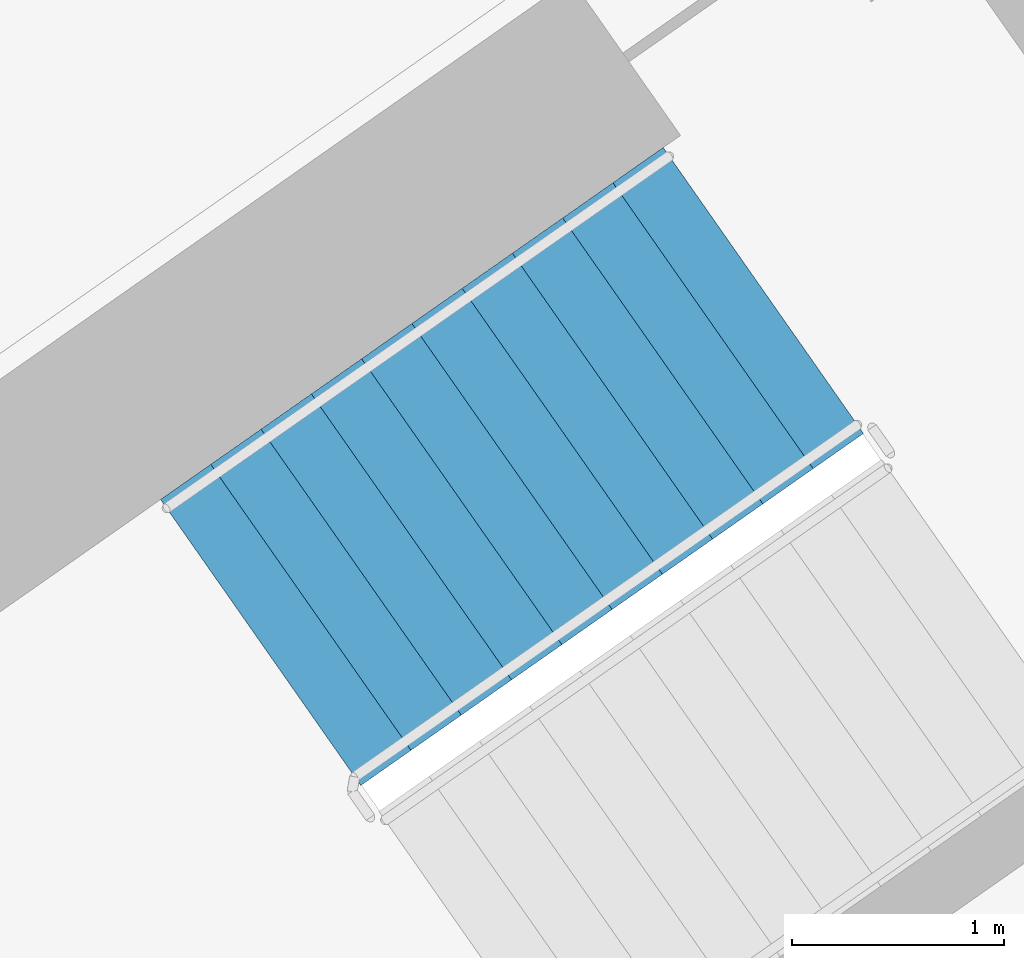
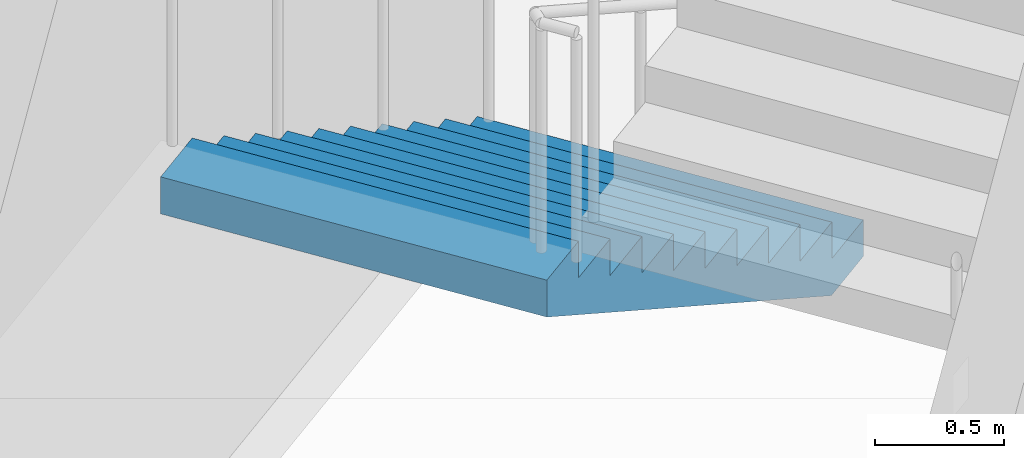
# One storey, part 18 of 31: 1 stair flight, 1 element without a shape of its own.
"""IFC4 building model written with IfcOpenShell, lengths in metres."""

from ifc_helpers import new_model, si_unit, direction, frame, origin, place, context, subcontext, project, spatial, faceted_brep, material, type_object, element, aggregate, save


model = new_model("IFC4")

# Units and contexts
model_context = context("Model", 3, precision=1e-05, world=origin(), true_north=direction((0.0, 1.0)))
body_context = subcontext(model_context, "Body", "Model", "MODEL_VIEW")
ifc_project = project(units=[si_unit("LENGTHUNIT", "METRE"), si_unit("AREAUNIT", "SQUARE_METRE"), si_unit("VOLUMEUNIT", "CUBIC_METRE"), si_unit("PLANEANGLEUNIT", "RADIAN"), si_unit("MASSUNIT", "GRAM", prefix="KILO")], contexts=[model_context])

# Site, building, storey
site_placement = place(None, origin())
site = spatial("IfcSite", under=ifc_project, at=site_placement, CompositionType="ELEMENT")
building_placement = place(site_placement, origin())
building = spatial("IfcBuilding", under=site, at=building_placement, Name="Qamariyya Broadcast Tower", CompositionType="ELEMENT")
storey_placement = place(building_placement, frame((0.0, 0.0, 59.5)))
storey = spatial("IfcBuildingStorey", under=building, at=storey_placement, Name="L11", CompositionType="ELEMENT", Elevation=59.5)

# Stair, stair flight
ifc_material = material(Name="Concrete C50/60", Category="concrete")
stair_type = type_object("IfcStairType", Name="Exit stair 22 risers of 173 mm", PredefinedType="HALF_TURN_STAIR", material=ifc_material)
stair_placement = place(storey_placement, origin())
stair = element("IfcStair", 1, at=stair_placement, inside=storey, type_object=stair_type, Name="L11 Stair E2", PredefinedType="HALF_TURN_STAIR")
stair_flight_type = type_object("IfcStairFlightType", Name="Exit stair flight 11 risers of 173 mm", PredefinedType="STRAIGHT", material=ifc_material)
stair_flight_placement = place(storey_placement, frame((40.558837890625, -47.685302734375, 0.0), z_axis=(0.0, 0.0, 1.0), x_axis=(-0.819152044289, -0.573576436351, 0.0)))
stair_flight = element("IfcStairFlight", 2, at=stair_flight_placement, type_object=stair_flight_type, Name="ST-E2 flight 1", NumberOfRisers=11, NumberOfTreads=10, PredefinedType="STRAIGHT", RiserHeight=0.172727273, TreadLength=0.29, context=body_context, shape_type="Brep", body=[
    faceted_brep([(0.0, 0.824951171875, 0.0), (0.0, 0.824951171875, 0.172607421875), (0.2900390625, 0.824951171875, 0.172607421875), (0.2900390625, 0.824951171875, 0.345458984375), (0.580078125, 0.824951171875, 0.345458984375), (0.580078125, 0.824951171875, 0.51806640625), (0.8701171875, 0.824951171875, 0.51806640625), (0.8701171875, 0.824951171875, 0.69091796875), (1.159912109375, 0.824951171875, 0.69091796875), (1.159912109375, 0.824951171875, 0.863525390625), (1.449951171875, 0.824951171875, 0.863525390625), (1.449951171875, 0.824951171875, 1.036376953125), (1.739990234375, 0.824951171875, 1.036376953125), (1.739990234375, 0.824951171875, 1.208984375), (2.030029296875, 0.824951171875, 1.208984375), (2.030029296875, 0.824951171875, 1.3818359375), (2.320068359375, 0.824951171875, 1.3818359375), (2.320068359375, 0.824951171875, 1.554443359375), (2.610107421875, 0.824951171875, 1.554443359375), (2.610107421875, 0.824951171875, 1.727294921875), (2.89990234375, 0.824951171875, 1.727294921875), (2.89990234375, 0.824951171875, 1.552734375), (0.29296875, 0.824951171875, 0.0), (0.29296875, -0.824951171875, 0.0), (2.89990234375, -0.824951171875, 1.552734375), (2.89990234375, -0.824951171875, 1.727294921875), (2.610107421875, -0.824951171875, 1.727294921875), (2.610107421875, -0.824951171875, 1.554443359375), (2.320068359375, -0.824951171875, 1.554443359375), (2.320068359375, -0.824951171875, 1.3818359375), (2.030029296875, -0.824951171875, 1.3818359375), (2.030029296875, -0.824951171875, 1.208984375), (1.739990234375, -0.824951171875, 1.208984375), (1.739990234375, -0.824951171875, 1.036376953125), (1.449951171875, -0.824951171875, 1.036376953125), (1.449951171875, -0.824951171875, 0.863525390625), (1.159912109375, -0.824951171875, 0.863525390625), (1.159912109375, -0.824951171875, 0.69091796875), (0.8701171875, -0.824951171875, 0.69091796875), (0.8701171875, -0.824951171875, 0.51806640625), (0.580078125, -0.824951171875, 0.51806640625), (0.580078125, -0.824951171875, 0.345458984375), (0.2900390625, -0.824951171875, 0.345458984375), (0.2900390625, -0.824951171875, 0.172607421875), (0.0, -0.824951171875, 0.172607421875), (0.0, -0.824951171875, 0.0), (0.0, 0.10009765625, 0.0), (0.0, 0.086669921875, 0.0), (0.0, 0.0732421875, 0.0), (0.0, 0.06005859375, 0.0), (0.0, 0.046630859375, 0.0), (0.0, 0.033447265625, 0.0), (0.0, 0.02001953125, 0.0), (0.0, 0.006591796875, 0.0), (0.0, -0.006591796875, 0.0), (0.0, -0.02001953125, 0.0), (0.0, -0.033447265625, 0.0), (0.0, -0.046630859375, 0.0), (0.0, -0.06005859375, 0.0), (0.0, -0.0732421875, 0.0), (0.0, -0.086669921875, 0.0), (0.0, -0.10009765625, 0.0), (0.0, -0.10009765625, 0.172607421875), (0.0, -0.086669921875, 0.172607421875), (0.0, -0.0732421875, 0.172607421875), (0.0, -0.06005859375, 0.172607421875), (0.0, -0.046630859375, 0.172607421875), (0.0, -0.033447265625, 0.172607421875), (0.0, -0.02001953125, 0.172607421875), (0.0, -0.006591796875, 0.172607421875), (0.0, 0.006591796875, 0.172607421875), (0.0, 0.02001953125, 0.172607421875), (0.0, 0.033447265625, 0.172607421875), (0.0, 0.046630859375, 0.172607421875), (0.0, 0.06005859375, 0.172607421875), (0.0, 0.0732421875, 0.172607421875), (0.0, 0.086669921875, 0.172607421875), (0.0, 0.10009765625, 0.172607421875), (0.2900390625, -0.10009765625, 0.172607421875), (0.2900390625, -0.086669921875, 0.172607421875), (0.2900390625, -0.0732421875, 0.172607421875), (0.2900390625, -0.06005859375, 0.172607421875), (0.2900390625, -0.046630859375, 0.172607421875), (0.2900390625, -0.033447265625, 0.172607421875), (0.2900390625, -0.02001953125, 0.172607421875), (0.2900390625, -0.006591796875, 0.172607421875), (0.2900390625, 0.006591796875, 0.172607421875), (0.2900390625, 0.02001953125, 0.172607421875), (0.2900390625, 0.033447265625, 0.172607421875), (0.2900390625, 0.046630859375, 0.172607421875), (0.2900390625, 0.06005859375, 0.172607421875), (0.2900390625, 0.0732421875, 0.172607421875), (0.2900390625, 0.086669921875, 0.172607421875), (0.2900390625, 0.10009765625, 0.172607421875), (0.2900390625, -0.10009765625, 0.345458984375), (0.2900390625, -0.086669921875, 0.345458984375), (0.2900390625, -0.0732421875, 0.345458984375), (0.2900390625, -0.06005859375, 0.345458984375), (0.2900390625, -0.046630859375, 0.345458984375), (0.2900390625, -0.033447265625, 0.345458984375), (0.2900390625, -0.02001953125, 0.345458984375), (0.2900390625, -0.006591796875, 0.345458984375), (0.2900390625, 0.006591796875, 0.345458984375), (0.2900390625, 0.02001953125, 0.345458984375), (0.2900390625, 0.033447265625, 0.345458984375), (0.2900390625, 0.046630859375, 0.345458984375), (0.2900390625, 0.06005859375, 0.345458984375), (0.2900390625, 0.0732421875, 0.345458984375), (0.2900390625, 0.086669921875, 0.345458984375), (0.2900390625, 0.10009765625, 0.345458984375), (0.580078125, -0.10009765625, 0.345458984375), (0.580078125, -0.086669921875, 0.345458984375), (0.580078125, -0.0732421875, 0.345458984375), (0.580078125, -0.06005859375, 0.345458984375), (0.580078125, -0.046630859375, 0.345458984375), (0.580078125, -0.033447265625, 0.345458984375), (0.580078125, -0.02001953125, 0.345458984375), (0.580078125, -0.006591796875, 0.345458984375), (0.580078125, 0.006591796875, 0.345458984375), (0.580078125, 0.02001953125, 0.345458984375), (0.580078125, 0.033447265625, 0.345458984375), (0.580078125, 0.046630859375, 0.345458984375), (0.580078125, 0.06005859375, 0.345458984375), (0.580078125, 0.0732421875, 0.345458984375), (0.580078125, 0.086669921875, 0.345458984375), (0.580078125, 0.10009765625, 0.345458984375), (0.580078125, -0.10009765625, 0.51806640625), (0.580078125, -0.086669921875, 0.51806640625), (0.580078125, -0.0732421875, 0.51806640625), (0.580078125, -0.06005859375, 0.51806640625), (0.580078125, -0.046630859375, 0.51806640625), (0.580078125, -0.033447265625, 0.51806640625), (0.580078125, -0.02001953125, 0.51806640625), (0.580078125, -0.006591796875, 0.51806640625), (0.580078125, 0.006591796875, 0.51806640625), (0.580078125, 0.02001953125, 0.51806640625), (0.580078125, 0.033447265625, 0.51806640625), (0.580078125, 0.046630859375, 0.51806640625), (0.580078125, 0.06005859375, 0.51806640625), (0.580078125, 0.0732421875, 0.51806640625), (0.580078125, 0.086669921875, 0.51806640625), (0.580078125, 0.10009765625, 0.51806640625), (0.8701171875, -0.10009765625, 0.51806640625), (0.8701171875, -0.086669921875, 0.51806640625), (0.8701171875, -0.0732421875, 0.51806640625), (0.8701171875, -0.06005859375, 0.51806640625), (0.8701171875, -0.046630859375, 0.51806640625), (0.8701171875, -0.033447265625, 0.51806640625), (0.8701171875, -0.02001953125, 0.51806640625), (0.8701171875, -0.006591796875, 0.51806640625), (0.8701171875, 0.006591796875, 0.51806640625), (0.8701171875, 0.02001953125, 0.51806640625), (0.8701171875, 0.033447265625, 0.51806640625), (0.8701171875, 0.046630859375, 0.51806640625), (0.8701171875, 0.06005859375, 0.51806640625), (0.8701171875, 0.0732421875, 0.51806640625), (0.8701171875, 0.086669921875, 0.51806640625), (0.8701171875, 0.10009765625, 0.51806640625), (0.8701171875, -0.10009765625, 0.69091796875), (0.8701171875, -0.086669921875, 0.69091796875), (0.8701171875, -0.0732421875, 0.69091796875), (0.8701171875, -0.06005859375, 0.69091796875), (0.8701171875, -0.046630859375, 0.69091796875), (0.8701171875, -0.033447265625, 0.69091796875), (0.8701171875, -0.02001953125, 0.69091796875), (0.8701171875, -0.006591796875, 0.69091796875), (0.8701171875, 0.006591796875, 0.69091796875), (0.8701171875, 0.02001953125, 0.69091796875), (0.8701171875, 0.033447265625, 0.69091796875), (0.8701171875, 0.046630859375, 0.69091796875), (0.8701171875, 0.06005859375, 0.69091796875), (0.8701171875, 0.0732421875, 0.69091796875), (0.8701171875, 0.086669921875, 0.69091796875), (0.8701171875, 0.10009765625, 0.69091796875), (1.159912109375, -0.10009765625, 0.69091796875), (1.159912109375, -0.086669921875, 0.69091796875), (1.159912109375, -0.0732421875, 0.69091796875), (1.159912109375, -0.06005859375, 0.69091796875), (1.159912109375, -0.046630859375, 0.69091796875), (1.159912109375, -0.033447265625, 0.69091796875), (1.159912109375, -0.02001953125, 0.69091796875), (1.159912109375, -0.006591796875, 0.69091796875), (1.159912109375, 0.006591796875, 0.69091796875), (1.159912109375, 0.02001953125, 0.69091796875), (1.159912109375, 0.033447265625, 0.69091796875), (1.159912109375, 0.046630859375, 0.69091796875), (1.159912109375, 0.06005859375, 0.69091796875), (1.159912109375, 0.0732421875, 0.69091796875), (1.159912109375, 0.086669921875, 0.69091796875), (1.159912109375, 0.10009765625, 0.69091796875), (1.159912109375, -0.10009765625, 0.863525390625), (1.159912109375, -0.086669921875, 0.863525390625), (1.159912109375, -0.0732421875, 0.863525390625), (1.159912109375, -0.06005859375, 0.863525390625), (1.159912109375, -0.046630859375, 0.863525390625), (1.159912109375, -0.033447265625, 0.863525390625), (1.159912109375, -0.02001953125, 0.863525390625), (1.159912109375, -0.006591796875, 0.863525390625), (1.159912109375, 0.006591796875, 0.863525390625), (1.159912109375, 0.02001953125, 0.863525390625), (1.159912109375, 0.033447265625, 0.863525390625), (1.159912109375, 0.046630859375, 0.863525390625), (1.159912109375, 0.06005859375, 0.863525390625), (1.159912109375, 0.0732421875, 0.863525390625), (1.159912109375, 0.086669921875, 0.863525390625), (1.159912109375, 0.10009765625, 0.863525390625), (1.449951171875, -0.10009765625, 0.863525390625), (1.449951171875, -0.086669921875, 0.863525390625), (1.449951171875, -0.0732421875, 0.863525390625), (1.449951171875, -0.06005859375, 0.863525390625), (1.449951171875, -0.046630859375, 0.863525390625), (1.449951171875, -0.033447265625, 0.863525390625), (1.449951171875, -0.02001953125, 0.863525390625), (1.449951171875, -0.006591796875, 0.863525390625), (1.449951171875, 0.006591796875, 0.863525390625), (1.449951171875, 0.02001953125, 0.863525390625), (1.449951171875, 0.033447265625, 0.863525390625), (1.449951171875, 0.046630859375, 0.863525390625), (1.449951171875, 0.06005859375, 0.863525390625), (1.449951171875, 0.0732421875, 0.863525390625), (1.449951171875, 0.086669921875, 0.863525390625), (1.449951171875, 0.10009765625, 0.863525390625), (1.449951171875, -0.10009765625, 1.036376953125), (1.449951171875, -0.086669921875, 1.036376953125), (1.449951171875, -0.0732421875, 1.036376953125), (1.449951171875, -0.06005859375, 1.036376953125), (1.449951171875, -0.046630859375, 1.036376953125), (1.449951171875, -0.033447265625, 1.036376953125), (1.449951171875, -0.02001953125, 1.036376953125), (1.449951171875, -0.006591796875, 1.036376953125), (1.449951171875, 0.006591796875, 1.036376953125), (1.449951171875, 0.02001953125, 1.036376953125), (1.449951171875, 0.033447265625, 1.036376953125), (1.449951171875, 0.046630859375, 1.036376953125), (1.449951171875, 0.06005859375, 1.036376953125), (1.449951171875, 0.0732421875, 1.036376953125), (1.449951171875, 0.086669921875, 1.036376953125), (1.449951171875, 0.10009765625, 1.036376953125), (1.739990234375, -0.10009765625, 1.036376953125), (1.739990234375, -0.086669921875, 1.036376953125), (1.739990234375, -0.0732421875, 1.036376953125), (1.739990234375, -0.06005859375, 1.036376953125), (1.739990234375, -0.046630859375, 1.036376953125), (1.739990234375, -0.033447265625, 1.036376953125), (1.739990234375, -0.02001953125, 1.036376953125), (1.739990234375, -0.006591796875, 1.036376953125), (1.739990234375, 0.006591796875, 1.036376953125), (1.739990234375, 0.02001953125, 1.036376953125), (1.739990234375, 0.033447265625, 1.036376953125), (1.739990234375, 0.046630859375, 1.036376953125), (1.739990234375, 0.06005859375, 1.036376953125), (1.739990234375, 0.0732421875, 1.036376953125), (1.739990234375, 0.086669921875, 1.036376953125), (1.739990234375, 0.10009765625, 1.036376953125), (1.739990234375, -0.10009765625, 1.208984375), (1.739990234375, -0.086669921875, 1.208984375), (1.739990234375, -0.0732421875, 1.208984375), (1.739990234375, -0.06005859375, 1.208984375), (1.739990234375, -0.046630859375, 1.208984375), (1.739990234375, -0.033447265625, 1.208984375), (1.739990234375, -0.02001953125, 1.208984375), (1.739990234375, -0.006591796875, 1.208984375), (1.739990234375, 0.006591796875, 1.208984375), (1.739990234375, 0.02001953125, 1.208984375), (1.739990234375, 0.033447265625, 1.208984375), (1.739990234375, 0.046630859375, 1.208984375), (1.739990234375, 0.06005859375, 1.208984375), (1.739990234375, 0.0732421875, 1.208984375), (1.739990234375, 0.086669921875, 1.208984375), (1.739990234375, 0.10009765625, 1.208984375), (2.030029296875, -0.10009765625, 1.208984375), (2.030029296875, -0.086669921875, 1.208984375), (2.030029296875, -0.0732421875, 1.208984375), (2.030029296875, -0.06005859375, 1.208984375), (2.030029296875, -0.046630859375, 1.208984375), (2.030029296875, -0.033447265625, 1.208984375), (2.030029296875, -0.02001953125, 1.208984375), (2.030029296875, -0.006591796875, 1.208984375), (2.030029296875, 0.006591796875, 1.208984375), (2.030029296875, 0.02001953125, 1.208984375), (2.030029296875, 0.033447265625, 1.208984375), (2.030029296875, 0.046630859375, 1.208984375), (2.030029296875, 0.06005859375, 1.208984375), (2.030029296875, 0.0732421875, 1.208984375), (2.030029296875, 0.086669921875, 1.208984375), (2.030029296875, 0.10009765625, 1.208984375), (2.030029296875, -0.10009765625, 1.3818359375), (2.030029296875, -0.086669921875, 1.3818359375), (2.030029296875, -0.0732421875, 1.3818359375), (2.030029296875, -0.06005859375, 1.3818359375), (2.030029296875, -0.046630859375, 1.3818359375), (2.030029296875, -0.033447265625, 1.3818359375), (2.030029296875, -0.02001953125, 1.3818359375), (2.030029296875, -0.006591796875, 1.3818359375), (2.030029296875, 0.006591796875, 1.3818359375), (2.030029296875, 0.02001953125, 1.3818359375), (2.030029296875, 0.033447265625, 1.3818359375), (2.030029296875, 0.046630859375, 1.3818359375), (2.030029296875, 0.06005859375, 1.3818359375), (2.030029296875, 0.0732421875, 1.3818359375), (2.030029296875, 0.086669921875, 1.3818359375), (2.030029296875, 0.10009765625, 1.3818359375), (2.320068359375, -0.10009765625, 1.3818359375), (2.320068359375, -0.086669921875, 1.3818359375), (2.320068359375, -0.0732421875, 1.3818359375), (2.320068359375, -0.06005859375, 1.3818359375), (2.320068359375, -0.046630859375, 1.3818359375), (2.320068359375, -0.033447265625, 1.3818359375), (2.320068359375, -0.02001953125, 1.3818359375), (2.320068359375, -0.006591796875, 1.3818359375), (2.320068359375, 0.006591796875, 1.3818359375), (2.320068359375, 0.02001953125, 1.3818359375), (2.320068359375, 0.033447265625, 1.3818359375), (2.320068359375, 0.046630859375, 1.3818359375), (2.320068359375, 0.06005859375, 1.3818359375), (2.320068359375, 0.0732421875, 1.3818359375), (2.320068359375, 0.086669921875, 1.3818359375), (2.320068359375, 0.10009765625, 1.3818359375), (2.320068359375, -0.10009765625, 1.554443359375), (2.320068359375, -0.086669921875, 1.554443359375), (2.320068359375, -0.0732421875, 1.554443359375), (2.320068359375, -0.06005859375, 1.554443359375), (2.320068359375, -0.046630859375, 1.554443359375), (2.320068359375, -0.033447265625, 1.554443359375), (2.320068359375, -0.02001953125, 1.554443359375), (2.320068359375, -0.006591796875, 1.554443359375), (2.320068359375, 0.006591796875, 1.554443359375), (2.320068359375, 0.02001953125, 1.554443359375), (2.320068359375, 0.033447265625, 1.554443359375), (2.320068359375, 0.046630859375, 1.554443359375), (2.320068359375, 0.06005859375, 1.554443359375), (2.320068359375, 0.0732421875, 1.554443359375), (2.320068359375, 0.086669921875, 1.554443359375), (2.320068359375, 0.10009765625, 1.554443359375), (2.610107421875, -0.10009765625, 1.554443359375), (2.610107421875, -0.086669921875, 1.554443359375), (2.610107421875, -0.0732421875, 1.554443359375), (2.610107421875, -0.06005859375, 1.554443359375), (2.610107421875, -0.046630859375, 1.554443359375), (2.610107421875, -0.033447265625, 1.554443359375), (2.610107421875, -0.02001953125, 1.554443359375), (2.610107421875, -0.006591796875, 1.554443359375), (2.610107421875, 0.006591796875, 1.554443359375), (2.610107421875, 0.02001953125, 1.554443359375), (2.610107421875, 0.033447265625, 1.554443359375), (2.610107421875, 0.046630859375, 1.554443359375), (2.610107421875, 0.06005859375, 1.554443359375), (2.610107421875, 0.0732421875, 1.554443359375), (2.610107421875, 0.086669921875, 1.554443359375), (2.610107421875, 0.10009765625, 1.554443359375), (2.610107421875, -0.10009765625, 1.727294921875), (2.610107421875, -0.086669921875, 1.727294921875), (2.610107421875, -0.0732421875, 1.727294921875), (2.610107421875, -0.06005859375, 1.727294921875), (2.610107421875, -0.046630859375, 1.727294921875), (2.610107421875, -0.033447265625, 1.727294921875), (2.610107421875, -0.02001953125, 1.727294921875), (2.610107421875, -0.006591796875, 1.727294921875), (2.610107421875, 0.006591796875, 1.727294921875), (2.610107421875, 0.02001953125, 1.727294921875), (2.610107421875, 0.033447265625, 1.727294921875), (2.610107421875, 0.046630859375, 1.727294921875), (2.610107421875, 0.06005859375, 1.727294921875), (2.610107421875, 0.0732421875, 1.727294921875), (2.610107421875, 0.086669921875, 1.727294921875), (2.610107421875, 0.10009765625, 1.727294921875), (2.89990234375, -0.10009765625, 1.727294921875), (2.89990234375, -0.086669921875, 1.727294921875), (2.89990234375, -0.0732421875, 1.727294921875), (2.89990234375, -0.06005859375, 1.727294921875), (2.89990234375, -0.046630859375, 1.727294921875), (2.89990234375, -0.033447265625, 1.727294921875), (2.89990234375, -0.02001953125, 1.727294921875), (2.89990234375, -0.006591796875, 1.727294921875), (2.89990234375, 0.006591796875, 1.727294921875), (2.89990234375, 0.02001953125, 1.727294921875), (2.89990234375, 0.033447265625, 1.727294921875), (2.89990234375, 0.046630859375, 1.727294921875), (2.89990234375, 0.06005859375, 1.727294921875), (2.89990234375, 0.0732421875, 1.727294921875), (2.89990234375, 0.086669921875, 1.727294921875), (2.89990234375, 0.10009765625, 1.727294921875), (2.89990234375, -0.10009765625, 1.552734375), (2.89990234375, -0.086669921875, 1.552734375), (2.89990234375, -0.0732421875, 1.552734375), (2.89990234375, -0.06005859375, 1.552734375), (2.89990234375, -0.046630859375, 1.552734375), (2.89990234375, -0.033447265625, 1.552734375), (2.89990234375, -0.02001953125, 1.552734375), (2.89990234375, -0.006591796875, 1.552734375), (2.89990234375, 0.006591796875, 1.552734375), (2.89990234375, 0.02001953125, 1.552734375), (2.89990234375, 0.033447265625, 1.552734375), (2.89990234375, 0.046630859375, 1.552734375), (2.89990234375, 0.06005859375, 1.552734375), (2.89990234375, 0.0732421875, 1.552734375), (2.89990234375, 0.086669921875, 1.552734375), (2.89990234375, 0.10009765625, 1.552734375), (0.29296875, -0.10009765625, 0.0), (0.29296875, -0.086669921875, 0.0), (0.29296875, -0.0732421875, 0.0), (0.29296875, -0.06005859375, 0.0), (0.29296875, -0.046630859375, 0.0), (0.29296875, -0.033447265625, 0.0), (0.29296875, -0.02001953125, 0.0), (0.29296875, -0.006591796875, 0.0), (0.29296875, 0.006591796875, 0.0), (0.29296875, 0.02001953125, 0.0), (0.29296875, 0.033447265625, 0.0), (0.29296875, 0.046630859375, 0.0), (0.29296875, 0.06005859375, 0.0), (0.29296875, 0.0732421875, 0.0), (0.29296875, 0.086669921875, 0.0), (0.29296875, 0.10009765625, 0.0)], [[[0, 1, 2, 3, 4, 5, 6, 7, 8, 9, 10, 11, 12, 13, 14, 15, 16, 17, 18, 19, 20, 21, 22]], [[23, 24, 25, 26, 27, 28, 29, 30, 31, 32, 33, 34, 35, 36, 37, 38, 39, 40, 41, 42, 43, 44, 45]], [[0, 46, 47, 48, 49, 50, 51, 52, 53, 54, 55, 56, 57, 58, 59, 60, 61, 45, 44, 62, 63, 64, 65, 66, 67, 68, 69, 70, 71, 72, 73, 74, 75, 76, 77, 1]], [[1, 77, 76, 75, 74, 73, 72, 71, 70, 69, 68, 67, 66, 65, 64, 63, 62, 44, 43, 78, 79, 80, 81, 82, 83, 84, 85, 86, 87, 88, 89, 90, 91, 92, 93, 2]], [[2, 93, 92, 91, 90, 89, 88, 87, 86, 85, 84, 83, 82, 81, 80, 79, 78, 43, 42, 94, 95, 96, 97, 98, 99, 100, 101, 102, 103, 104, 105, 106, 107, 108, 109, 3]], [[3, 109, 108, 107, 106, 105, 104, 103, 102, 101, 100, 99, 98, 97, 96, 95, 94, 42, 41, 110, 111, 112, 113, 114, 115, 116, 117, 118, 119, 120, 121, 122, 123, 124, 125, 4]], [[4, 125, 124, 123, 122, 121, 120, 119, 118, 117, 116, 115, 114, 113, 112, 111, 110, 41, 40, 126, 127, 128, 129, 130, 131, 132, 133, 134, 135, 136, 137, 138, 139, 140, 141, 5]], [[5, 141, 140, 139, 138, 137, 136, 135, 134, 133, 132, 131, 130, 129, 128, 127, 126, 40, 39, 142, 143, 144, 145, 146, 147, 148, 149, 150, 151, 152, 153, 154, 155, 156, 157, 6]], [[6, 157, 156, 155, 154, 153, 152, 151, 150, 149, 148, 147, 146, 145, 144, 143, 142, 39, 38, 158, 159, 160, 161, 162, 163, 164, 165, 166, 167, 168, 169, 170, 171, 172, 173, 7]], [[7, 173, 172, 171, 170, 169, 168, 167, 166, 165, 164, 163, 162, 161, 160, 159, 158, 38, 37, 174, 175, 176, 177, 178, 179, 180, 181, 182, 183, 184, 185, 186, 187, 188, 189, 8]], [[8, 189, 188, 187, 186, 185, 184, 183, 182, 181, 180, 179, 178, 177, 176, 175, 174, 37, 36, 190, 191, 192, 193, 194, 195, 196, 197, 198, 199, 200, 201, 202, 203, 204, 205, 9]], [[9, 205, 204, 203, 202, 201, 200, 199, 198, 197, 196, 195, 194, 193, 192, 191, 190, 36, 35, 206, 207, 208, 209, 210, 211, 212, 213, 214, 215, 216, 217, 218, 219, 220, 221, 10]], [[10, 221, 220, 219, 218, 217, 216, 215, 214, 213, 212, 211, 210, 209, 208, 207, 206, 35, 34, 222, 223, 224, 225, 226, 227, 228, 229, 230, 231, 232, 233, 234, 235, 236, 237, 11]], [[11, 237, 236, 235, 234, 233, 232, 231, 230, 229, 228, 227, 226, 225, 224, 223, 222, 34, 33, 238, 239, 240, 241, 242, 243, 244, 245, 246, 247, 248, 249, 250, 251, 252, 253, 12]], [[12, 253, 252, 251, 250, 249, 248, 247, 246, 245, 244, 243, 242, 241, 240, 239, 238, 33, 32, 254, 255, 256, 257, 258, 259, 260, 261, 262, 263, 264, 265, 266, 267, 268, 269, 13]], [[13, 269, 268, 267, 266, 265, 264, 263, 262, 261, 260, 259, 258, 257, 256, 255, 254, 32, 31, 270, 271, 272, 273, 274, 275, 276, 277, 278, 279, 280, 281, 282, 283, 284, 285, 14]], [[14, 285, 284, 283, 282, 281, 280, 279, 278, 277, 276, 275, 274, 273, 272, 271, 270, 31, 30, 286, 287, 288, 289, 290, 291, 292, 293, 294, 295, 296, 297, 298, 299, 300, 301, 15]], [[15, 301, 300, 299, 298, 297, 296, 295, 294, 293, 292, 291, 290, 289, 288, 287, 286, 30, 29, 302, 303, 304, 305, 306, 307, 308, 309, 310, 311, 312, 313, 314, 315, 316, 317, 16]], [[16, 317, 316, 315, 314, 313, 312, 311, 310, 309, 308, 307, 306, 305, 304, 303, 302, 29, 28, 318, 319, 320, 321, 322, 323, 324, 325, 326, 327, 328, 329, 330, 331, 332, 333, 17]], [[17, 333, 332, 331, 330, 329, 328, 327, 326, 325, 324, 323, 322, 321, 320, 319, 318, 28, 27, 334, 335, 336, 337, 338, 339, 340, 341, 342, 343, 344, 345, 346, 347, 348, 349, 18]], [[18, 349, 348, 347, 346, 345, 344, 343, 342, 341, 340, 339, 338, 337, 336, 335, 334, 27, 26, 350, 351, 352, 353, 354, 355, 356, 357, 358, 359, 360, 361, 362, 363, 364, 365, 19]], [[19, 365, 364, 363, 362, 361, 360, 359, 358, 357, 356, 355, 354, 353, 352, 351, 350, 26, 25, 366, 367, 368, 369, 370, 371, 372, 373, 374, 375, 376, 377, 378, 379, 380, 381, 20]], [[20, 381, 380, 379, 378, 377, 376, 375, 374, 373, 372, 371, 370, 369, 368, 367, 366, 25, 24, 382, 383, 384, 385, 386, 387, 388, 389, 390, 391, 392, 393, 394, 395, 396, 397, 21]], [[21, 397, 396, 395, 394, 393, 392, 391, 390, 389, 388, 387, 386, 385, 384, 383, 382, 24, 23, 398, 399, 400, 401, 402, 403, 404, 405, 406, 407, 408, 409, 410, 411, 412, 413, 22]], [[22, 413, 412, 411, 410, 409, 408, 407, 406, 405, 404, 403, 402, 401, 400, 399, 398, 23, 45, 61, 60, 59, 58, 57, 56, 55, 54, 53, 52, 51, 50, 49, 48, 47, 46, 0]]]),
])
aggregate(stair, [stair_flight])

save(model, "model.ifc")
